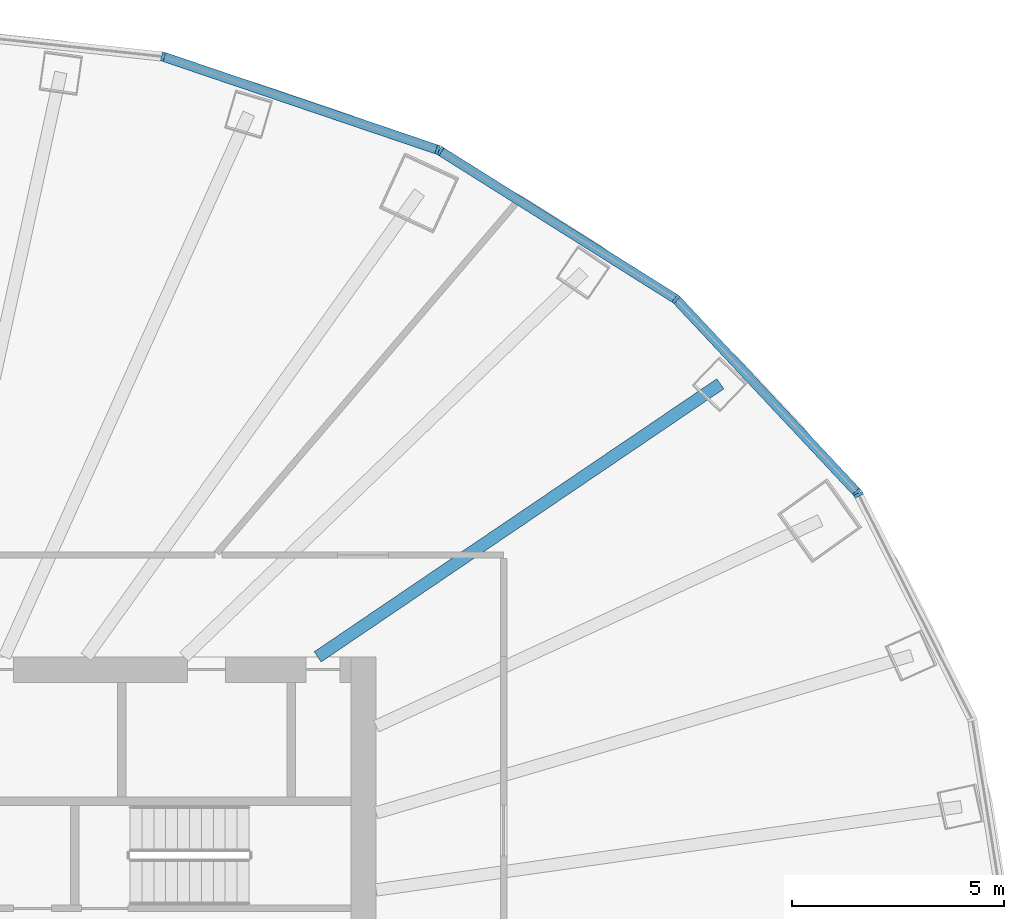
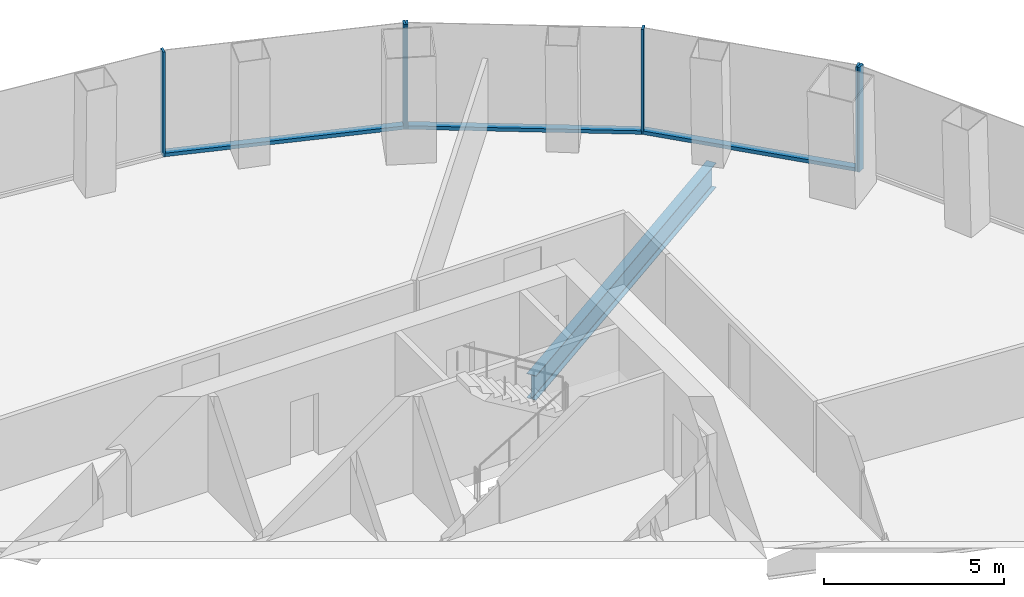
# One storey, part 6 of 11: 9 members, 1 beam, 3 elements without a shape of their own.
"""IFC4 building model written with IfcOpenShell, lengths in metres."""

from ifc_helpers import new_model, si_unit, direction, frame, origin, origin_2d, place, context, subcontext, project, spatial, rectangle, i_section, extrude, material, layer, layer_set, material_profile, profile_set, type_object, element, aggregate, save


model = new_model("IFC4")

# Units and contexts
model_context = context("Model", 3, precision=1e-05, world=origin(), true_north=direction((0.0, 1.0)))
body_context = subcontext(model_context, "Body", "Model", "MODEL_VIEW")
ifc_project = project(units=[si_unit("LENGTHUNIT", "METRE"), si_unit("AREAUNIT", "SQUARE_METRE"), si_unit("VOLUMEUNIT", "CUBIC_METRE"), si_unit("PLANEANGLEUNIT", "RADIAN"), si_unit("MASSUNIT", "GRAM", prefix="KILO")], contexts=[model_context])

# Site, building, storey
site_placement = place(None, origin())
site = spatial("IfcSite", under=ifc_project, at=site_placement, CompositionType="ELEMENT")
building_placement = place(site_placement, origin())
building = spatial("IfcBuilding", under=site, at=building_placement, Name="Siaravel Broadcast Tower", CompositionType="ELEMENT")
storey_placement = place(building_placement, frame((0.0, 0.0, 74.10009765625)))
storey = spatial("IfcBuildingStorey", under=building, at=storey_placement, Name="L17", CompositionType="ELEMENT", Elevation=74.10009765625)

# Beam
ifc_material_1 = material(Name="Steel S355", Category="steel")
ifc_material_profile_1 = material_profile(ifc_material_1, i_section(OverallWidth=0.291748046875, OverallDepth=0.8349609375, WebThickness=0.013916015625, FlangeThickness=0.018798828125, FilletRadius=0.017822265625, at=origin_2d()))
ifc_profile_set_1 = profile_set([ifc_material_profile_1], Name="Steel S355")
beam_type = type_object("IfcBeamType", Name="BM-UB 838x292x176", PredefinedType="BEAM", material=ifc_profile_set_1)
beam_placement = place(storey_placement, frame((20.107177734375, 13.631591796875, -0.567626953125), z_axis=(-0.82771923, -0.561142474, 0.0), x_axis=(0.561142474, -0.82771923, 0.0)))
element("IfcBeam", 1, at=beam_placement, inside=storey, type_object=beam_type, Name="Radial beam RB05", PredefinedType="BEAM", context=body_context, shape_type="SweptSolid", body=[
    extrude(i_section(OverallWidth=0.291748046875, OverallDepth=0.8349609375, WebThickness=0.013916015625, FlangeThickness=0.018798828125, FilletRadius=0.017822265625, at=origin_2d()), origin(), (0.0, 0.0, 1.0), 11.461669921875),
])

# Curtain wall, member
ifc_material_2 = material(Name="Aluminium 6063-T6", Category="aluminium")
ifc_layer = layer(ifc_material_2, 0.219970703125)
ifc_layer_set = layer_set([ifc_layer], Name="Aluminium 6063-T6")
curtain_wall_type = type_object("IfcCurtainWallType", Name="Unitised curtain wall, zone 1", PredefinedType="NOTDEFINED", material=ifc_layer_set)
curtain_wall_1_placement = place(storey_placement, origin())
curtain_wall_1 = element("IfcCurtainWall", 2, at=curtain_wall_1_placement, inside=storey, type_object=curtain_wall_type, Name="L17 Unitised curtain wall, zone 1 01", PredefinedType="NOTDEFINED")
ifc_material_profile_2 = material_profile(ifc_material_2, rectangle(XDim=0.219970703125, YDim=0.070068359375, at=origin_2d()))
ifc_profile_set_2 = profile_set([ifc_material_profile_2], Name="Aluminium 6063-T6")
member_type_1 = type_object("IfcMemberType", Name="CW-Z1 mullion", PredefinedType="MULLION", material=ifc_profile_set_2)
member_1_placement = place(storey_placement, frame((23.364501953125, 11.020263671875, 0.0), z_axis=(0.0, 0.0, 1.0), x_axis=(-0.892392184, -0.451260668, 0.0)))
member_1 = element("IfcMember", 3, at=member_1_placement, type_object=member_type_1, Name="CW-Z1 mullion 3", PredefinedType="MULLION", context=body_context, shape_type="SweptSolid", body=[
    extrude(rectangle(XDim=0.219970703125, YDim=0.070068359375, at=origin_2d()), origin(), (0.0, 0.0, 1.0), 3.5498046875),
])
aggregate(curtain_wall_1, [member_1])

# Curtain wall, members
curtain_wall_2_placement = place(storey_placement, origin())
curtain_wall_2 = element("IfcCurtainWall", 4, at=curtain_wall_2_placement, inside=storey, type_object=curtain_wall_type, Name="L17 Unitised curtain wall, zone 1 02", PredefinedType="NOTDEFINED")
member_2_placement = place(storey_placement, frame((23.32470703125, 11.076904296875, 0.0), z_axis=(0.0, 0.0, 1.0), x_axis=(-0.729805583, -0.683654746, 0.0)))
member_2 = element("IfcMember", 5, at=member_2_placement, type_object=member_type_1, Name="CW-Z1 mullion 1", PredefinedType="MULLION", context=body_context, shape_type="SweptSolid", body=[
    extrude(rectangle(XDim=0.219970703125, YDim=0.070068359375, at=origin_2d()), origin(), (0.0, 0.0, 1.0), 3.5498046875),
])
member_3_placement = place(storey_placement, frame((19.0625, 15.627197265625, 0.0), z_axis=(0.0, 0.0, 1.0), x_axis=(-0.63621907, -0.771508454, 0.0)))
member_3 = element("IfcMember", 6, at=member_3_placement, type_object=member_type_1, Name="CW-Z1 mullion 2", PredefinedType="MULLION", context=body_context, shape_type="SweptSolid", body=[
    extrude(rectangle(XDim=0.219970703125, YDim=0.070068359375, at=origin_2d()), origin(), (0.0, 0.0, 1.0), 3.5498046875),
])
member_4_placement = place(storey_placement, frame((13.5078125, 19.118408203125, 0.0), z_axis=(0.0, 0.0, 1.0), x_axis=(-0.532149761, -0.846650242, 0.0)))
member_4 = element("IfcMember", 7, at=member_4_placement, type_object=member_type_1, Name="CW-Z1 mullion 3", PredefinedType="MULLION", context=body_context, shape_type="SweptSolid", body=[
    extrude(rectangle(XDim=0.219970703125, YDim=0.070068359375, at=origin_2d()), origin(), (0.0, 0.0, 1.0), 3.5498046875),
])

curtain_wall_3_placement = place(storey_placement, origin())
curtain_wall_3 = element("IfcCurtainWall", 8, at=curtain_wall_3_placement, inside=storey, type_object=curtain_wall_type, Name="L17 Unitised curtain wall, zone 1 03", PredefinedType="NOTDEFINED")
member_5_placement = place(storey_placement, frame((13.445068359375, 19.148193359375, 0.0), z_axis=(0.0, 0.0, 1.0), x_axis=(-0.321301105, -0.946977085, 0.0)))
member_5 = element("IfcMember", 9, at=member_5_placement, type_object=member_type_1, Name="CW-Z1 mullion 1", PredefinedType="MULLION", context=body_context, shape_type="SweptSolid", body=[
    extrude(rectangle(XDim=0.219970703125, YDim=0.070068359375, at=origin_2d()), origin(), (0.0, 0.0, 1.0), 3.5498046875),
])
member_6_placement = place(storey_placement, frame((6.9765625, 21.343017578125, 0.0), z_axis=(0.0, 0.0, 1.0), x_axis=(-0.21555841, -0.976490948, 0.0)))
member_6 = element("IfcMember", 10, at=member_6_placement, type_object=member_type_1, Name="CW-Z1 mullion 2", PredefinedType="MULLION", context=body_context, shape_type="SweptSolid", body=[
    extrude(rectangle(XDim=0.219970703125, YDim=0.070068359375, at=origin_2d()), origin(), (0.0, 0.0, 1.0), 3.5498046875),
])

# Member
ifc_material_profile_3 = material_profile(ifc_material_2, rectangle(XDim=0.219970703125, YDim=0.1201171875, at=origin_2d()))
ifc_profile_set_3 = profile_set([ifc_material_profile_3], Name="Aluminium 6063-T6")
member_type_2 = type_object("IfcMemberType", Name="CW-Z1 transom", PredefinedType="USERDEFINED", material=ifc_profile_set_3)
member_7_placement = place(storey_placement, frame((23.30078125, 11.1025390625, 0.059814453125), z_axis=(-0.683640708, 0.729818733, 0.0), x_axis=(-0.729818733, -0.683640708, 0.0)))
member_7 = element("IfcMember", 11, at=member_7_placement, type_object=member_type_2, Name="CW-Z1 transom 1", ObjectType="TRANSOM", PredefinedType="USERDEFINED", context=body_context, shape_type="SweptSolid", body=[
    extrude(rectangle(XDim=0.219970703125, YDim=0.1201171875, at=origin_2d()), origin(), (0.0, 0.0, 1.0), 6.16455078125),
])

member_8_placement = place(storey_placement, frame((19.03271484375, 15.645751953125, 0.059814453125), z_axis=(-0.846662211, 0.532130717, 0.0), x_axis=(-0.532130717, -0.846662211, 0.0)))
member_8 = element("IfcMember", 12, at=member_8_placement, type_object=member_type_2, Name="CW-Z1 transom 2", ObjectType="TRANSOM", PredefinedType="USERDEFINED", context=body_context, shape_type="SweptSolid", body=[
    extrude(rectangle(XDim=0.219970703125, YDim=0.1201171875, at=origin_2d()), origin(), (0.0, 0.0, 1.0), 6.49072265625),
])

aggregate(curtain_wall_2, [member_2, member_3, member_4, member_7, member_8])

member_9_placement = place(storey_placement, frame((13.411865234375, 19.159423828125, 0.059814453125), z_axis=(-0.946972422, 0.321314849, 0.0), x_axis=(-0.321314849, -0.946972422, 0.0)))
member_9 = element("IfcMember", 13, at=member_9_placement, type_object=member_type_2, Name="CW-Z1 transom 1", ObjectType="TRANSOM", PredefinedType="USERDEFINED", context=body_context, shape_type="SweptSolid", body=[
    extrude(rectangle(XDim=0.219970703125, YDim=0.1201171875, at=origin_2d()), origin(), (0.0, 0.0, 1.0), 6.7607421875),
])

aggregate(curtain_wall_3, [member_5, member_6, member_9])

save(model, "model.ifc")
